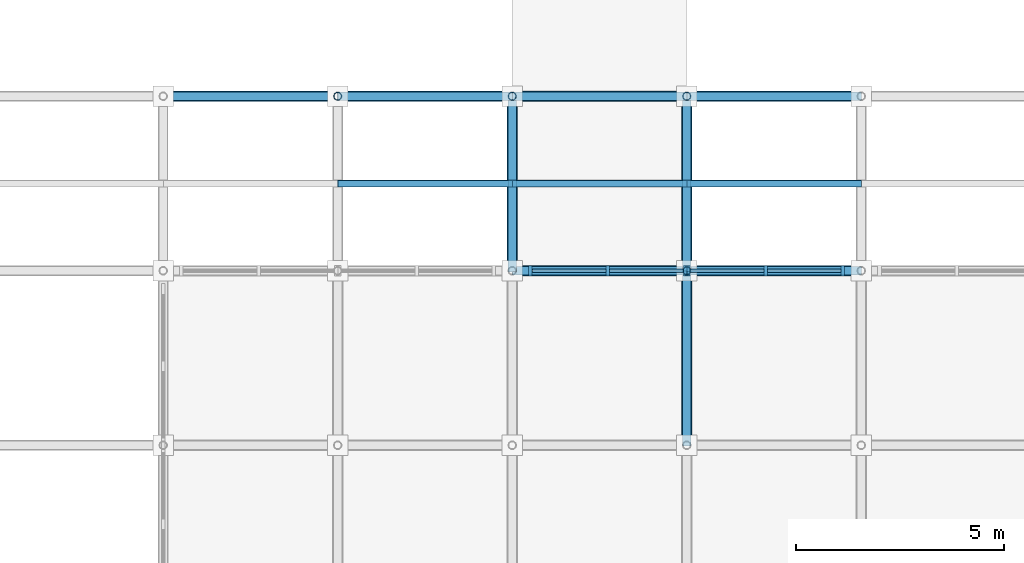
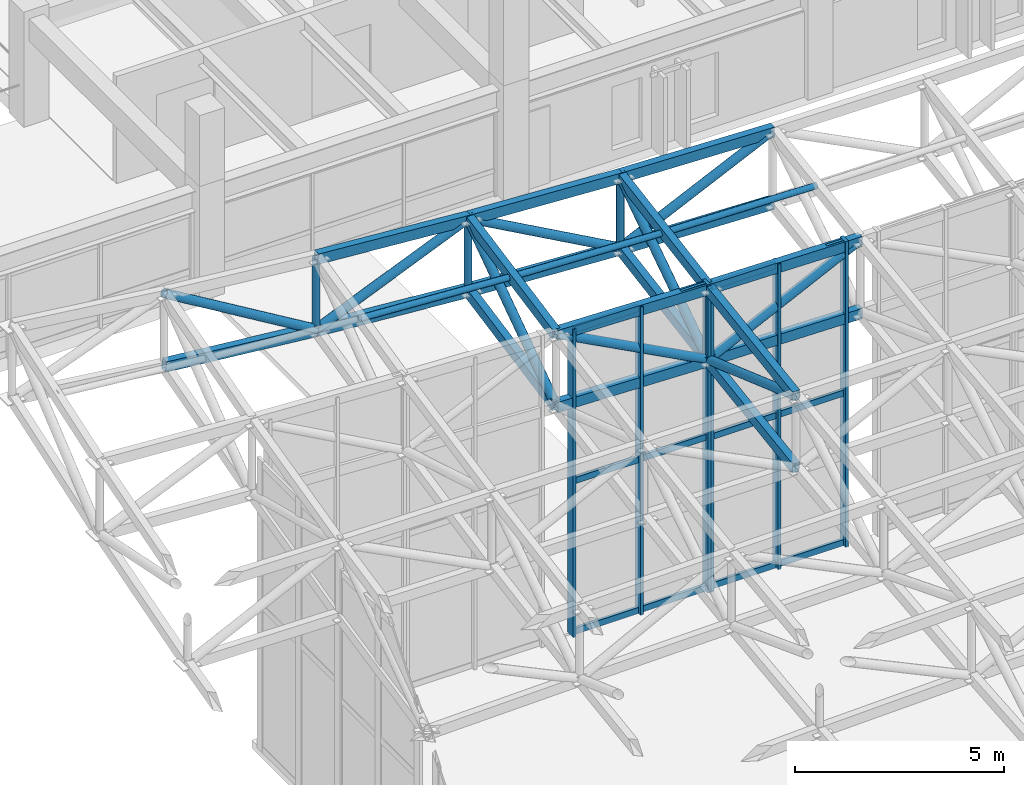
# One storey, part 54 of 123: 51 members, 2 elements without a shape of their own.
"""IFC4 building model written with IfcOpenShell, lengths in metres."""

import ifcopenshell
import ifcopenshell.guid

model = None  # the IFC model being written
_history = None  # IfcOwnerHistory: only IFC2X3 demands one
_inside = {}  # id of a spatial element -> (the spatial element, [elements in it])
_under = {}  # id of a project, library or spatial element -> (it, [spatial elements below it])
_declared = {}  # id of a project -> (the project, [libraries it declares])
_typed = {}  # id of a type object -> (the type object, [elements of that type])
_made_of = {}  # id of a material, layer set ... -> (it, [elements and type objects made of it])


def new_model(schema):
    """Start an empty IFC model of exactly this schema.

    Asked for "IFC4X3", IfcOpenShell would pick the latest addendum, in which some entities
    have other attributes; the version numbers below select the first issue.
    IFC2X3 requires an IfcOwnerHistory on every rooted entity: one is made here for all.
    """
    global model, _history
    if schema == "IFC4X3":
        model = ifcopenshell.file(schema_version=(4, 3, 0, 0))
    else:
        model = ifcopenshell.file(schema=schema)
    _inside.clear()
    _under.clear()
    _declared.clear()
    _typed.clear()
    _made_of.clear()
    _history = None
    if model.schema == "IFC2X3":
        org = make("IfcOrganization", Name="unknown")
        user = make(
            "IfcPersonAndOrganization",
            ThePerson=make("IfcPerson", FamilyName="unknown"),
            TheOrganization=org,
        )
        app = make(
            "IfcApplication",
            ApplicationDeveloper=org,
            Version="unknown",
            ApplicationFullName="unknown",
            ApplicationIdentifier="unknown",
        )
        _history = make(
            "IfcOwnerHistory",
            OwningUser=user,
            OwningApplication=app,
            ChangeAction="ADDED",
            CreationDate=0,
        )
    return model


def make(cls, **values):
    """One entity of the class cls with the attributes given. An attribute that is None is left unset."""
    return model.create_entity(
        cls, **{name: value for name, value in values.items() if value is not None}
    )


def rooted(cls, **values):
    """An entity with a GlobalId (a new one), such as an element, a storey or a relation."""
    return make(cls, GlobalId=ifcopenshell.guid.new(), OwnerHistory=_history, **values)


def si_unit(unit_type, name, prefix=None):
    """IfcSIUnit, for example si_unit("LENGTHUNIT", "METRE", prefix="MILLI")."""
    return make("IfcSIUnit", UnitType=unit_type, Prefix=prefix, Name=name)


def assignment(units):
    """IfcUnitAssignment: the units of a project."""
    return None if units is None else make("IfcUnitAssignment", Units=units)


def point(xyz):
    """IfcCartesianPoint."""
    return None if xyz is None else make("IfcCartesianPoint", Coordinates=xyz)


def direction(xyz):
    """IfcDirection."""
    return None if xyz is None else make("IfcDirection", DirectionRatios=xyz)


def frame(location, z_axis=None, x_axis=None):
    """IfcAxis2Placement3D, a coordinate frame: its origin and axes. An axis left out is left unset."""
    return make(
        "IfcAxis2Placement3D",
        Location=point(location),
        Axis=direction(z_axis),
        RefDirection=direction(x_axis),
    )


def frame_2d(location, x_axis=None):
    """IfcAxis2Placement2D, a coordinate frame in the plane: its origin and x axis."""
    return make(
        "IfcAxis2Placement2D", Location=point(location), RefDirection=direction(x_axis)
    )


def origin():
    """The frame at (0, 0, 0) with its axes left unset."""
    return frame((0.0, 0.0, 0.0))


def origin_2d():
    """The frame at (0, 0) in the plane with its x axis left unset."""
    return frame_2d((0.0, 0.0))


def place(relative_to, where):
    """IfcLocalPlacement: puts the frame where relative to a parent placement (None: the world)."""
    return make(
        "IfcLocalPlacement", PlacementRelTo=relative_to, RelativePlacement=where
    )


def context(
    kind, dimensions, precision=None, world=None, true_north=None, identifier=None
):
    """IfcGeometricRepresentationContext, for example the 3D "Model" context."""
    return make(
        "IfcGeometricRepresentationContext",
        ContextIdentifier=identifier,
        ContextType=kind,
        CoordinateSpaceDimension=dimensions,
        Precision=precision,
        WorldCoordinateSystem=world,
        TrueNorth=true_north,
    )


def subcontext(parent, identifier, kind, view, scale=None):
    """IfcGeometricRepresentationSubContext, for example "Body" below "Model"."""
    return make(
        "IfcGeometricRepresentationSubContext",
        ContextIdentifier=identifier,
        ContextType=kind,
        ParentContext=parent,
        TargetScale=scale,
        TargetView=view,
    )


def project(units=None, contexts=None):
    """IfcProject with its units and contexts."""
    return rooted(
        "IfcProject",
        Name="project",
        RepresentationContexts=contexts,
        UnitsInContext=assignment(units),
    )


def spatial(cls, under=None, at=None, **own):
    """A site, building, storey or space (cls), placed at a placement, below another one or the project."""
    s = rooted(cls, ObjectPlacement=at, **own)
    if under is not None:
        _under.setdefault(under.id(), (under, []))[1].append(s)
    return s


def profile(cls, at=None, kind="AREA", **sizes):
    """A parametric profile (cls). Its sizes go by their IFC names, for example OverallWidth=200.0."""
    return make(cls, ProfileType=kind, Position=at, **sizes)


def rectangle(**sizes):
    """IfcRectangleProfileDef."""
    return profile("IfcRectangleProfileDef", **sizes)


def hollow_rectangle(**sizes):
    """IfcRectangleHollowProfileDef."""
    return profile("IfcRectangleHollowProfileDef", **sizes)


def hollow_circle(**sizes):
    """IfcCircleHollowProfileDef."""
    return profile("IfcCircleHollowProfileDef", **sizes)


def extrude(swept, where, along, depth):
    """IfcExtrudedAreaSolid: the profile swept, set in the frame where, extruded along a direction by depth."""
    return make(
        "IfcExtrudedAreaSolid",
        SweptArea=swept,
        Position=where,
        ExtrudedDirection=direction(along),
        Depth=depth,
    )


def shape(context_of_items, identifier, shape_type, items):
    """IfcShapeRepresentation: the items that make up one representation, for example the "Body"."""
    return make(
        "IfcShapeRepresentation",
        ContextOfItems=context_of_items,
        RepresentationIdentifier=identifier,
        RepresentationType=shape_type,
        Items=items,
    )


def material(Name=None, Category=None):
    """IfcMaterial."""
    return make("IfcMaterial", Name=Name, Category=Category)


def material_profile(
    of_material, cross_section, Name=None, Category=None, Priority=None
):
    """IfcMaterialProfile: a cross section and its material."""
    return make(
        "IfcMaterialProfile",
        Name=Name,
        Material=of_material,
        Profile=cross_section,
        Priority=Priority,
        Category=Category,
    )


def profile_set(profiles, Name=None, composite=None):
    """IfcMaterialProfileSet."""
    return make(
        "IfcMaterialProfileSet",
        Name=Name,
        MaterialProfiles=profiles,
        CompositeProfile=composite,
    )


def made_of(thing, what):
    """Note that an element or type object is made of a material, layer set ...; save() writes the relation."""
    if what is not None:
        _made_of.setdefault(what.id(), (what, []))[1].append(thing)
    return thing


def type_object(cls, material=None, **own):
    """A type object (cls), such as IfcWallType, which elements share."""
    return made_of(rooted(cls, **own), material)


def element(
    cls,
    number,
    at=None,
    inside=None,
    cuts=None,
    type_object=None,
    material=None,
    context=None,
    identifier="Body",
    shape_type=None,
    held_by="IfcProductDefinitionShape",
    body=None,
    shapes=None,
    **own,
):
    """One element of the class cls, such as IfcWall. Its Tag is "e" and its number.

    at: its placement. inside: the storey or other place that contains it. cuts: it is an
    opening in that element (IfcRelVoidsElement). A single representation is given by context,
    identifier, shape_type and body (its items); several are given by shapes. held_by: the class
    of the entity that holds the representations. save() writes the other relations.
    """
    e = rooted(cls, Tag="e%d" % number, ObjectPlacement=at, **own)
    if body is not None:
        shapes = [shape(context, identifier, shape_type, body)]
    if shapes is not None:
        e.Representation = make(held_by, Representations=shapes)
    if inside is not None:
        _inside.setdefault(inside.id(), (inside, []))[1].append(e)
    if cuts is not None:
        rooted(
            "IfcRelVoidsElement", RelatingBuildingElement=cuts, RelatedOpeningElement=e
        )
    if type_object is not None:
        _typed.setdefault(type_object.id(), (type_object, []))[1].append(e)
    return made_of(e, material)


def aggregate(whole, parts):
    """IfcRelAggregates: a whole, such as a stair, and the parts it consists of."""
    return rooted("IfcRelAggregates", RelatingObject=whole, RelatedObjects=parts)


def save(model, path):
    """Write the relations noted so far, then the file.

    IfcRelAggregates (storeys below a building ...), IfcRelContainedInSpatialStructure (elements
    in a storey), IfcRelDefinesByType, IfcRelAssociatesMaterial and IfcRelDeclares: one each for
    every whole, place, type object, material and project.
    """
    for whole, parts in _under.values():
        aggregate(whole, parts)
    for where, things in _inside.values():
        rooted(
            "IfcRelContainedInSpatialStructure",
            RelatedElements=things,
            RelatingStructure=where,
        )
    for kind, things in _typed.values():
        rooted("IfcRelDefinesByType", RelatedObjects=things, RelatingType=kind)
    for what, things in _made_of.values():
        rooted("IfcRelAssociatesMaterial", RelatedObjects=things, RelatingMaterial=what)
    for by, libraries in _declared.values():
        rooted("IfcRelDeclares", RelatingContext=by, RelatedDefinitions=libraries)
    model.write(path)


model = new_model("IFC4")

# Units and contexts
model_context = context("Model", 3, precision=1e-05, world=origin(), true_north=direction((0.0, 1.0)))
body_context = subcontext(model_context, "Body", "Model", "MODEL_VIEW")
ifc_project = project(units=[si_unit("LENGTHUNIT", "METRE"), si_unit("AREAUNIT", "SQUARE_METRE"), si_unit("VOLUMEUNIT", "CUBIC_METRE"), si_unit("PLANEANGLEUNIT", "RADIAN"), si_unit("MASSUNIT", "GRAM", prefix="KILO")], contexts=[model_context])

# Site, building, storey
site_placement = place(None, origin())
site = spatial("IfcSite", under=ifc_project, at=site_placement, CompositionType="ELEMENT")
building_placement = place(site_placement, origin())
building = spatial("IfcBuilding", under=site, at=building_placement, Name="Cumbredor Promenade Congress Hotel", CompositionType="ELEMENT")
storey_placement = place(building_placement, frame((0.0, 0.0, 11.760009765625)))
storey = spatial("IfcBuildingStorey", under=building, at=storey_placement, Name="L03", CompositionType="ELEMENT", Elevation=11.760009765625)

# Members
ifc_material_1 = material(Name="Steel ASTM A500 Grade C", Category="steel")
ifc_material_profile_1 = material_profile(ifc_material_1, hollow_rectangle(XDim=0.199951171875, YDim=0.300048828125, WallThickness=0.012451171875, at=origin_2d()), Name="HSS 300x200x12.5")
ifc_profile_set_1 = profile_set([ifc_material_profile_1], Name="Steel ASTM A500 Grade C")
member_type_1 = type_object("IfcMemberType", Name="Ballroom Roof Space Frame Chord", PredefinedType="CHORD", material=ifc_profile_set_1)
for number, where, z_axis, x_axis, name in (
    (1, (151.199951171875, 67.199951171875, 8.9306640625), (0.999569410131, 0.0, -0.029342704884), (0.0, 1.0, 0.0), "Grand Ballroom Pavilion X Top Chord 4.17"),
    (2, (151.199951171875, 67.199951171875, 6.830810546875), (0.999567704243, 0.0, -0.029400759074), (0.0, 1.0, 0.0), "Grand Ballroom Pavilion X Bottom Chord 4.17"),
):
    element("IfcMember", number, at=place(storey_placement, frame(where, z_axis=z_axis, x_axis=x_axis)), inside=storey, type_object=member_type_1, Name=name, PredefinedType="CHORD", context=body_context, shape_type="SweptSolid", body=[
        extrude(hollow_rectangle(XDim=0.199951171875, YDim=0.300048828125, WallThickness=0.012451171875, at=origin_2d()), origin(), (0.0, 0.0, 1.0), 4.20166015625),
    ])
for number, where, z_axis, x_axis, name in (
    (3, (155.39990234375, 67.199951171875, 8.807373046875), (0.999844941573, 0.0, -0.017609452296), (0.0, 1.0, 0.0), "Grand Ballroom Pavilion X Top Chord 5.17"),
    (4, (155.39990234375, 67.199951171875, 6.707275390625), (0.999844941573, 0.0, -0.017609452296), (0.0, 1.0, 0.0), "Grand Ballroom Pavilion X Bottom Chord 5.17"),
):
    element("IfcMember", number, at=place(storey_placement, frame(where, z_axis=z_axis, x_axis=x_axis)), inside=storey, type_object=member_type_1, Name=name, PredefinedType="CHORD", context=body_context, shape_type="SweptSolid", body=[
        extrude(hollow_rectangle(XDim=0.199951171875, YDim=0.300048828125, WallThickness=0.012451171875, at=origin_2d()), origin(), (0.0, 0.0, 1.0), 4.200927734375),
    ])
member_1_placement = place(storey_placement, frame((142.800048828125, 71.39990234375, 8.401123046875), z_axis=(0.995004494852, 0.0, -0.099830131844), x_axis=(0.0, 1.0, 0.0)))
element("IfcMember", 5, at=member_1_placement, inside=storey, type_object=member_type_1, Name="Grand Ballroom Pavilion X Bottom Chord 2.18", PredefinedType="CHORD", context=body_context, shape_type="SweptSolid", body=[
    extrude(hollow_rectangle(XDim=0.199951171875, YDim=0.300048828125, WallThickness=0.012451171875, at=origin_2d()), origin(), (0.0, 0.0, 1.0), 4.220947265625),
])
for number, where, z_axis, x_axis, name in (
    (6, (147.0, 71.39990234375, 10.07958984375), (0.996962071035, 0.0, -0.077888567312), (0.0, 1.0, 0.0), "Grand Ballroom Pavilion X Top Chord 3.18"),
    (7, (147.0, 71.39990234375, 7.979736328125), (0.996962071035, 0.0, -0.077888567312), (0.0, 1.0, 0.0), "Grand Ballroom Pavilion X Bottom Chord 3.18"),
):
    element("IfcMember", number, at=place(storey_placement, frame(where, z_axis=z_axis, x_axis=x_axis)), inside=storey, type_object=member_type_1, Name=name, PredefinedType="CHORD", context=body_context, shape_type="SweptSolid", body=[
        extrude(hollow_rectangle(XDim=0.199951171875, YDim=0.300048828125, WallThickness=0.012451171875, at=origin_2d()), origin(), (0.0, 0.0, 1.0), 4.212646484375),
    ])
for number, where, z_axis, x_axis, name in (
    (8, (151.199951171875, 71.39990234375, 9.75146484375), (0.998446571725, 0.0, -0.055717532341), (0.0, 1.0, 0.0), "Grand Ballroom Pavilion X Top Chord 4.18"),
    (9, (151.199951171875, 71.39990234375, 7.651611328125), (0.998443341288, 0.0, -0.055775390977), (0.0, 1.0, 0.0), "Grand Ballroom Pavilion X Bottom Chord 4.18"),
):
    element("IfcMember", number, at=place(storey_placement, frame(where, z_axis=z_axis, x_axis=x_axis)), inside=storey, type_object=member_type_1, Name=name, PredefinedType="CHORD", context=body_context, shape_type="SweptSolid", body=[
        extrude(hollow_rectangle(XDim=0.199951171875, YDim=0.300048828125, WallThickness=0.012451171875, at=origin_2d()), origin(), (0.0, 0.0, 1.0), 4.20654296875),
    ])
for number, where, z_axis, x_axis, name in (
    (10, (155.39990234375, 71.39990234375, 9.51708984375), (0.999438051436, 0.0, -0.033519864896), (0.0, 1.0, 0.0), "Grand Ballroom Pavilion X Top Chord 5.18"),
    (11, (155.39990234375, 71.39990234375, 7.4169921875), (0.999438051436, 0.0, -0.033519864896), (0.0, 1.0, 0.0), "Grand Ballroom Pavilion X Bottom Chord 5.18"),
):
    element("IfcMember", number, at=place(storey_placement, frame(where, z_axis=z_axis, x_axis=x_axis)), inside=storey, type_object=member_type_1, Name=name, PredefinedType="CHORD", context=body_context, shape_type="SweptSolid", body=[
        extrude(hollow_rectangle(XDim=0.199951171875, YDim=0.300048828125, WallThickness=0.012451171875, at=origin_2d()), origin(), (0.0, 0.0, 1.0), 4.20263671875),
    ])
for number, where, z_axis, x_axis, name in (
    (12, (151.199951171875, 67.199951171875, 8.9306640625), (0.0, 0.981433531081, 0.191802565337), (-1.0, 0.0, 0.0), "Grand Ballroom Pavilion Y Top Chord 4.17"),
    (13, (151.199951171875, 67.199951171875, 6.830810546875), (0.0, 0.981433531081, 0.191802565337), (-1.0, 0.0, 0.0), "Grand Ballroom Pavilion Y Bottom Chord 4.17"),
):
    element("IfcMember", number, at=place(storey_placement, frame(where, z_axis=z_axis, x_axis=x_axis)), inside=storey, type_object=member_type_1, Name=name, PredefinedType="CHORD", context=body_context, shape_type="SweptSolid", body=[
        extrude(hollow_rectangle(XDim=0.199951171875, YDim=0.300048828125, WallThickness=0.012451171875, at=origin_2d()), origin(), (0.0, 0.0, 1.0), 4.279296875),
    ])
for number, where, z_axis, x_axis, name in (
    (14, (155.39990234375, 63.0, 8.1884765625), (0.0, 0.989316485131, 0.145783717364), (-1.0, 0.0, 0.0), "Grand Ballroom Pavilion Y Top Chord 5.16"),
    (15, (155.39990234375, 63.0, 6.088623046875), (0.0, 0.989324777815, 0.145727430505), (-1.0, 0.0, 0.0), "Grand Ballroom Pavilion Y Bottom Chord 5.16"),
):
    element("IfcMember", number, at=place(storey_placement, frame(where, z_axis=z_axis, x_axis=x_axis)), inside=storey, type_object=member_type_1, Name=name, PredefinedType="CHORD", context=body_context, shape_type="SweptSolid", body=[
        extrude(hollow_rectangle(XDim=0.199951171875, YDim=0.300048828125, WallThickness=0.012451171875, at=origin_2d()), origin(), (0.0, 0.0, 1.0), 4.245361328125),
    ])
for number, where, z_axis, x_axis, name in (
    (16, (155.39990234375, 67.199951171875, 8.807373046875), (0.0, 0.986021186806, 0.166619984308), (-1.0, 0.0, 0.0), "Grand Ballroom Pavilion Y Top Chord 5.17"),
    (17, (155.39990234375, 67.199951171875, 6.707275390625), (0.0, 0.986021186806, 0.166619984308), (-1.0, 0.0, 0.0), "Grand Ballroom Pavilion Y Bottom Chord 5.17"),
):
    element("IfcMember", number, at=place(storey_placement, frame(where, z_axis=z_axis, x_axis=x_axis)), inside=storey, type_object=member_type_1, Name=name, PredefinedType="CHORD", context=body_context, shape_type="SweptSolid", body=[
        extrude(hollow_rectangle(XDim=0.199951171875, YDim=0.300048828125, WallThickness=0.012451171875, at=origin_2d()), origin(), (0.0, 0.0, 1.0), 4.259521484375),
    ])

# Curtain wall, members
ifc_material_2 = material(Name="Thermally broken anodized aluminium and low-E glass", Category="aluminium")
curtain_wall_type = type_object("IfcCurtainWallType", Name="Stepped Pavilion Clerestory Curtain Wall CW-06", PredefinedType="NOTDEFINED", material=ifc_material_2)
curtain_wall_1_placement = place(storey_placement, origin())
curtain_wall_1 = element("IfcCurtainWall", 18, at=curtain_wall_1_placement, inside=storey, type_object=curtain_wall_type, Name="Grand Ballroom Pavilion N Glazed Clerestory 3", PredefinedType="NOTDEFINED")
ifc_material_3 = material(Name="Thermally broken anodized aluminium", Category="aluminium")
ifc_material_profile_2 = material_profile(ifc_material_3, rectangle(XDim=0.0849609375, YDim=0.260009765625, at=origin_2d()), Name="ALU MULLION CLERESTORY 85x260")
ifc_profile_set_2 = profile_set([ifc_material_profile_2], Name="Thermally broken anodized aluminium")
member_type_2 = type_object("IfcMemberType", Name="Curtain Wall Mullion ML-04", PredefinedType="MULLION", material=ifc_profile_set_2)
member_2_placement = place(storey_placement, frame((151.639892578125, 67.199951171875, -0.01806640625), z_axis=(0.0, 0.0, 1.0), x_axis=(1.0, 0.0, 0.0)))
member_2 = element("IfcMember", 19, at=member_2_placement, type_object=member_type_2, Name="Grand Ballroom Pavilion N Glazed Clerestory 3 Mullion 1", PredefinedType="MULLION", context=body_context, shape_type="SweptSolid", body=[
    extrude(rectangle(XDim=0.0849609375, YDim=0.260009765625, at=origin_2d()), origin(), (0.0, 0.0, 1.0), 9.00146484375),
])
member_3_placement = place(storey_placement, frame((153.5, 67.199951171875, -0.01806640625), z_axis=(0.0, 0.0, 1.0), x_axis=(1.0, 0.0, 0.0)))
member_3 = element("IfcMember", 20, at=member_3_placement, type_object=member_type_2, Name="Grand Ballroom Pavilion N Glazed Clerestory 3 Mullion 2", PredefinedType="MULLION", context=body_context, shape_type="SweptSolid", body=[
    extrude(rectangle(XDim=0.0849609375, YDim=0.260009765625, at=origin_2d()), origin(), (0.0, 0.0, 1.0), 9.00146484375),
])
member_4_placement = place(storey_placement, frame((155.360107421875, 67.199951171875, -0.01806640625), z_axis=(0.0, 0.0, 1.0), x_axis=(1.0, 0.0, 0.0)))
member_4 = element("IfcMember", 21, at=member_4_placement, type_object=member_type_2, Name="Grand Ballroom Pavilion N Glazed Clerestory 3 Mullion 3", PredefinedType="MULLION", context=body_context, shape_type="SweptSolid", body=[
    extrude(rectangle(XDim=0.0849609375, YDim=0.260009765625, at=origin_2d()), origin(), (0.0, 0.0, 1.0), 9.00146484375),
])

curtain_wall_2_placement = place(storey_placement, origin())
curtain_wall_2 = element("IfcCurtainWall", 22, at=curtain_wall_2_placement, inside=storey, type_object=curtain_wall_type, Name="Grand Ballroom Pavilion N Glazed Clerestory 4", PredefinedType="NOTDEFINED")
member_5_placement = place(storey_placement, frame((155.43994140625, 67.199951171875, -0.01806640625), z_axis=(0.0, 0.0, 1.0), x_axis=(1.0, 0.0, 0.0)))
member_5 = element("IfcMember", 23, at=member_5_placement, type_object=member_type_2, Name="Grand Ballroom Pavilion N Glazed Clerestory 4 Mullion 1", PredefinedType="MULLION", context=body_context, shape_type="SweptSolid", body=[
    extrude(rectangle(XDim=0.0849609375, YDim=0.260009765625, at=origin_2d()), origin(), (0.0, 0.0, 1.0), 8.927490234375),
])
member_6_placement = place(storey_placement, frame((157.300048828125, 67.199951171875, -0.01806640625), z_axis=(0.0, 0.0, 1.0), x_axis=(1.0, 0.0, 0.0)))
member_6 = element("IfcMember", 24, at=member_6_placement, type_object=member_type_2, Name="Grand Ballroom Pavilion N Glazed Clerestory 4 Mullion 2", PredefinedType="MULLION", context=body_context, shape_type="SweptSolid", body=[
    extrude(rectangle(XDim=0.0849609375, YDim=0.260009765625, at=origin_2d()), origin(), (0.0, 0.0, 1.0), 8.927490234375),
])
member_7_placement = place(storey_placement, frame((159.159912109375, 67.199951171875, -0.01806640625), z_axis=(0.0, 0.0, 1.0), x_axis=(1.0, 0.0, 0.0)))
member_7 = element("IfcMember", 25, at=member_7_placement, type_object=member_type_2, Name="Grand Ballroom Pavilion N Glazed Clerestory 4 Mullion 3", PredefinedType="MULLION", context=body_context, shape_type="SweptSolid", body=[
    extrude(rectangle(XDim=0.0849609375, YDim=0.260009765625, at=origin_2d()), origin(), (0.0, 0.0, 1.0), 8.927490234375),
])

# Member
ifc_material_profile_3 = material_profile(ifc_material_3, rectangle(XDim=0.080078125, YDim=0.179931640625, at=origin_2d()), Name="ALU TRANSOM 80x180")
ifc_profile_set_3 = profile_set([ifc_material_profile_3], Name="Thermally broken anodized aluminium")
member_type_3 = type_object("IfcMemberType", Name="Curtain Wall Transom TR-03", PredefinedType="USERDEFINED", material=ifc_profile_set_3)
member_8_placement = place(storey_placement, frame((151.6826171875, 67.199951171875, 0.080078125), z_axis=(1.0, 0.0, 0.0), x_axis=(0.0, 1.0, 0.0)))
member_8 = element("IfcMember", 26, at=member_8_placement, type_object=member_type_3, Name="Grand Ballroom Pavilion N Glazed Clerestory 3 Transom 1.1", ObjectType="TRANSOM", PredefinedType="USERDEFINED", context=body_context, shape_type="SweptSolid", body=[
    extrude(rectangle(XDim=0.080078125, YDim=0.179931640625, at=origin_2d()), origin(), (0.0, 0.0, 1.0), 1.77490234375),
])

member_9_placement = place(storey_placement, frame((151.6826171875, 67.199951171875, 4.47998046875), z_axis=(1.0, 0.0, 0.0), x_axis=(0.0, 1.0, 0.0)))
member_9 = element("IfcMember", 27, at=member_9_placement, type_object=member_type_3, Name="Grand Ballroom Pavilion N Glazed Clerestory 3 Transom 1.2", ObjectType="TRANSOM", PredefinedType="USERDEFINED", context=body_context, shape_type="SweptSolid", body=[
    extrude(rectangle(XDim=0.080078125, YDim=0.179931640625, at=origin_2d()), origin(), (0.0, 0.0, 1.0), 1.77490234375),
])

member_10_placement = place(storey_placement, frame((151.6826171875, 67.199951171875, 8.889892578125), z_axis=(1.0, 0.0, 0.0), x_axis=(0.0, 1.0, 0.0)))
member_10 = element("IfcMember", 28, at=member_10_placement, type_object=member_type_3, Name="Grand Ballroom Pavilion N Glazed Clerestory 3 Transom 1.3", ObjectType="TRANSOM", PredefinedType="USERDEFINED", context=body_context, shape_type="SweptSolid", body=[
    extrude(rectangle(XDim=0.080078125, YDim=0.179931640625, at=origin_2d()), origin(), (0.0, 0.0, 1.0), 1.77490234375),
])

member_11_placement = place(storey_placement, frame((153.54248046875, 67.199951171875, 0.080078125), z_axis=(1.0, 0.0, 0.0), x_axis=(0.0, 1.0, 0.0)))
member_11 = element("IfcMember", 29, at=member_11_placement, type_object=member_type_3, Name="Grand Ballroom Pavilion N Glazed Clerestory 3 Transom 2.1", ObjectType="TRANSOM", PredefinedType="USERDEFINED", context=body_context, shape_type="SweptSolid", body=[
    extrude(rectangle(XDim=0.080078125, YDim=0.179931640625, at=origin_2d()), origin(), (0.0, 0.0, 1.0), 1.77490234375),
])

member_12_placement = place(storey_placement, frame((153.54248046875, 67.199951171875, 4.47998046875), z_axis=(1.0, 0.0, 0.0), x_axis=(0.0, 1.0, 0.0)))
member_12 = element("IfcMember", 30, at=member_12_placement, type_object=member_type_3, Name="Grand Ballroom Pavilion N Glazed Clerestory 3 Transom 2.2", ObjectType="TRANSOM", PredefinedType="USERDEFINED", context=body_context, shape_type="SweptSolid", body=[
    extrude(rectangle(XDim=0.080078125, YDim=0.179931640625, at=origin_2d()), origin(), (0.0, 0.0, 1.0), 1.77490234375),
])

member_13_placement = place(storey_placement, frame((153.54248046875, 67.199951171875, 8.889892578125), z_axis=(1.0, 0.0, 0.0), x_axis=(0.0, 1.0, 0.0)))
member_13 = element("IfcMember", 31, at=member_13_placement, type_object=member_type_3, Name="Grand Ballroom Pavilion N Glazed Clerestory 3 Transom 2.3", ObjectType="TRANSOM", PredefinedType="USERDEFINED", context=body_context, shape_type="SweptSolid", body=[
    extrude(rectangle(XDim=0.080078125, YDim=0.179931640625, at=origin_2d()), origin(), (0.0, 0.0, 1.0), 1.77490234375),
])

aggregate(curtain_wall_1, [member_2, member_3, member_4, member_8, member_9, member_10, member_11, member_12, member_13])

member_14_placement = place(storey_placement, frame((155.482421875, 67.199951171875, 0.080078125), z_axis=(1.0, 0.0, 0.0), x_axis=(0.0, 1.0, 0.0)))
member_14 = element("IfcMember", 32, at=member_14_placement, type_object=member_type_3, Name="Grand Ballroom Pavilion N Glazed Clerestory 4 Transom 1.1", ObjectType="TRANSOM", PredefinedType="USERDEFINED", context=body_context, shape_type="SweptSolid", body=[
    extrude(rectangle(XDim=0.080078125, YDim=0.179931640625, at=origin_2d()), origin(), (0.0, 0.0, 1.0), 1.775146484375),
])

member_15_placement = place(storey_placement, frame((155.482421875, 67.199951171875, 4.43994140625), z_axis=(1.0, 0.0, 0.0), x_axis=(0.0, 1.0, 0.0)))
member_15 = element("IfcMember", 33, at=member_15_placement, type_object=member_type_3, Name="Grand Ballroom Pavilion N Glazed Clerestory 4 Transom 1.2", ObjectType="TRANSOM", PredefinedType="USERDEFINED", context=body_context, shape_type="SweptSolid", body=[
    extrude(rectangle(XDim=0.080078125, YDim=0.179931640625, at=origin_2d()), origin(), (0.0, 0.0, 1.0), 1.775146484375),
])

member_16_placement = place(storey_placement, frame((155.482421875, 67.199951171875, 8.81005859375), z_axis=(1.0, 0.0, 0.0), x_axis=(0.0, 1.0, 0.0)))
member_16 = element("IfcMember", 34, at=member_16_placement, type_object=member_type_3, Name="Grand Ballroom Pavilion N Glazed Clerestory 4 Transom 1.3", ObjectType="TRANSOM", PredefinedType="USERDEFINED", context=body_context, shape_type="SweptSolid", body=[
    extrude(rectangle(XDim=0.080078125, YDim=0.179931640625, at=origin_2d()), origin(), (0.0, 0.0, 1.0), 1.775146484375),
])

member_17_placement = place(storey_placement, frame((157.342529296875, 67.199951171875, 0.080078125), z_axis=(1.0, 0.0, 0.0), x_axis=(0.0, 1.0, 0.0)))
member_17 = element("IfcMember", 35, at=member_17_placement, type_object=member_type_3, Name="Grand Ballroom Pavilion N Glazed Clerestory 4 Transom 2.1", ObjectType="TRANSOM", PredefinedType="USERDEFINED", context=body_context, shape_type="SweptSolid", body=[
    extrude(rectangle(XDim=0.080078125, YDim=0.179931640625, at=origin_2d()), origin(), (0.0, 0.0, 1.0), 1.77490234375),
])

member_18_placement = place(storey_placement, frame((157.342529296875, 67.199951171875, 4.43994140625), z_axis=(1.0, 0.0, 0.0), x_axis=(0.0, 1.0, 0.0)))
member_18 = element("IfcMember", 36, at=member_18_placement, type_object=member_type_3, Name="Grand Ballroom Pavilion N Glazed Clerestory 4 Transom 2.2", ObjectType="TRANSOM", PredefinedType="USERDEFINED", context=body_context, shape_type="SweptSolid", body=[
    extrude(rectangle(XDim=0.080078125, YDim=0.179931640625, at=origin_2d()), origin(), (0.0, 0.0, 1.0), 1.77490234375),
])

member_19_placement = place(storey_placement, frame((157.342529296875, 67.199951171875, 8.81005859375), z_axis=(1.0, 0.0, 0.0), x_axis=(0.0, 1.0, 0.0)))
member_19 = element("IfcMember", 37, at=member_19_placement, type_object=member_type_3, Name="Grand Ballroom Pavilion N Glazed Clerestory 4 Transom 2.3", ObjectType="TRANSOM", PredefinedType="USERDEFINED", context=body_context, shape_type="SweptSolid", body=[
    extrude(rectangle(XDim=0.080078125, YDim=0.179931640625, at=origin_2d()), origin(), (0.0, 0.0, 1.0), 1.77490234375),
])

aggregate(curtain_wall_2, [member_5, member_6, member_7, member_14, member_15, member_16, member_17, member_18, member_19])

# Members
ifc_material_profile_4 = material_profile(ifc_material_1, hollow_circle(Radius=0.084228515625, WallThickness=0.010009765625, at=origin_2d()), Name="CHS 168.3x10")
ifc_profile_set_4 = profile_set([ifc_material_profile_4], Name="Steel ASTM A500 Grade C")
member_type_4 = type_object("IfcMemberType", Name="Roof Purlin CHS168", PredefinedType="PURLIN", material=ifc_profile_set_4)
member_20_placement = place(storey_placement, frame((147.0, 69.300048828125, 9.571533203125), z_axis=(0.998226220481, 0.0, -0.059534970773), x_axis=(0.0, 1.0, 0.0)))
element("IfcMember", 38, at=member_20_placement, inside=storey, type_object=member_type_4, Name="Grand Ballroom Pavilion Roof Eave Purlin 3.17", PredefinedType="PURLIN", context=body_context, shape_type="SweptSolid", body=[
    extrude(hollow_circle(Radius=0.084228515625, WallThickness=0.010009765625, at=origin_2d()), origin(), (0.0, 0.0, 1.0), 4.20751953125),
])
member_21_placement = place(storey_placement, frame((151.199951171875, 69.300048828125, 9.321044921875), z_axis=(0.999093477233, 0.0, -0.042570221404), x_axis=(0.0, 1.0, 0.0)))
element("IfcMember", 39, at=member_21_placement, inside=storey, type_object=member_type_4, Name="Grand Ballroom Pavilion Roof Eave Purlin 4.17", PredefinedType="PURLIN", context=body_context, shape_type="SweptSolid", body=[
    extrude(hollow_circle(Radius=0.084228515625, WallThickness=0.010009765625, at=origin_2d()), origin(), (0.0, 0.0, 1.0), 4.203857421875),
])
member_22_placement = place(storey_placement, frame((155.39990234375, 69.300048828125, 9.14208984375), z_axis=(0.999674592055, 0.0, -0.025509018014), x_axis=(0.0, 1.0, 0.0)))
element("IfcMember", 40, at=member_22_placement, inside=storey, type_object=member_type_4, Name="Grand Ballroom Pavilion Roof Eave Purlin 5.17", PredefinedType="PURLIN", context=body_context, shape_type="SweptSolid", body=[
    extrude(hollow_circle(Radius=0.084228515625, WallThickness=0.010009765625, at=origin_2d()), origin(), (0.0, 0.0, 1.0), 4.20166015625),
])
ifc_material_profile_5 = material_profile(ifc_material_1, hollow_circle(Radius=0.122314453125, WallThickness=0.012451171875, at=origin_2d()), Name="CHS 244.5x12.5")
ifc_profile_set_5 = profile_set([ifc_material_profile_5], Name="Steel ASTM A500 Grade C")
member_type_5 = type_object("IfcMemberType", Name="Space Frame Web Diagonal D2", PredefinedType="BRACE", material=ifc_profile_set_5)
member_23_placement = place(storey_placement, frame((151.199951171875, 67.199951171875, 8.9306640625), z_axis=(0.883797913372, 0.0, -0.467868836661), x_axis=(0.0, 1.0, 0.0)))
element("IfcMember", 41, at=member_23_placement, inside=storey, type_object=member_type_5, Name="Grand Ballroom Pavilion X Web Diagonal 4.17", PredefinedType="BRACE", context=body_context, shape_type="SweptSolid", body=[
    extrude(hollow_circle(Radius=0.122314453125, WallThickness=0.012451171875, at=origin_2d()), origin(), (0.0, 0.0, 1.0), 4.752197265625),
])
member_24_placement = place(storey_placement, frame((155.39990234375, 67.199951171875, 6.707275390625), z_axis=(0.900682352115, 0.0, 0.434478193455), x_axis=(0.0, 1.0, 0.0)))
element("IfcMember", 42, at=member_24_placement, inside=storey, type_object=member_type_5, Name="Grand Ballroom Pavilion X Web Diagonal 5.17", PredefinedType="BRACE", context=body_context, shape_type="SweptSolid", body=[
    extrude(hollow_circle(Radius=0.122314453125, WallThickness=0.012451171875, at=origin_2d()), origin(), (0.0, 0.0, 1.0), 4.663330078125),
])
member_25_placement = place(storey_placement, frame((142.800048828125, 71.39990234375, 10.501220703125), z_axis=(0.857356575064, 0.0, -0.514722938282), x_axis=(0.0, 1.0, 0.0)))
element("IfcMember", 43, at=member_25_placement, inside=storey, type_object=member_type_5, Name="Grand Ballroom Pavilion X Web Diagonal 2.18", PredefinedType="BRACE", context=body_context, shape_type="SweptSolid", body=[
    extrude(hollow_circle(Radius=0.122314453125, WallThickness=0.012451171875, at=origin_2d()), origin(), (0.0, 0.0, 1.0), 4.898681640625),
])
member_26_placement = place(storey_placement, frame((147.0, 71.39990234375, 7.979736328125), z_axis=(0.921374051022, 0.0, 0.388677061458), x_axis=(0.0, 1.0, 0.0)))
element("IfcMember", 44, at=member_26_placement, inside=storey, type_object=member_type_5, Name="Grand Ballroom Pavilion X Web Diagonal 3.18", PredefinedType="BRACE", context=body_context, shape_type="SweptSolid", body=[
    extrude(hollow_circle(Radius=0.122314453125, WallThickness=0.012451171875, at=origin_2d()), origin(), (0.0, 0.0, 1.0), 4.558349609375),
])
member_27_placement = place(storey_placement, frame((151.199951171875, 71.39990234375, 9.75146484375), z_axis=(0.874054201985, 0.0, -0.485828418263), x_axis=(0.0, 1.0, 0.0)))
element("IfcMember", 45, at=member_27_placement, inside=storey, type_object=member_type_5, Name="Grand Ballroom Pavilion X Web Diagonal 4.18", PredefinedType="BRACE", context=body_context, shape_type="SweptSolid", body=[
    extrude(hollow_circle(Radius=0.122314453125, WallThickness=0.012451171875, at=origin_2d()), origin(), (0.0, 0.0, 1.0), 4.80517578125),
])
member_28_placement = place(storey_placement, frame((155.39990234375, 71.39990234375, 7.4169921875), z_axis=(0.906254452481, 0.0, 0.422732619226), x_axis=(0.0, 1.0, 0.0)))
element("IfcMember", 46, at=member_28_placement, inside=storey, type_object=member_type_5, Name="Grand Ballroom Pavilion X Web Diagonal 5.18", PredefinedType="BRACE", context=body_context, shape_type="SweptSolid", body=[
    extrude(hollow_circle(Radius=0.122314453125, WallThickness=0.012451171875, at=origin_2d()), origin(), (0.0, 0.0, 1.0), 4.634765625),
])
member_29_placement = place(storey_placement, frame((151.199951171875, 67.199951171875, 6.830810546875), z_axis=(0.0, 0.821001489889, 0.570926049151), x_axis=(-1.0, 0.0, 0.0)))
element("IfcMember", 47, at=member_29_placement, inside=storey, type_object=member_type_5, Name="Grand Ballroom Pavilion Y Web Diagonal 4.17", PredefinedType="BRACE", context=body_context, shape_type="SweptSolid", body=[
    extrude(hollow_circle(Radius=0.122314453125, WallThickness=0.012451171875, at=origin_2d()), origin(), (0.0, 0.0, 1.0), 5.11572265625),
])
member_30_placement = place(storey_placement, frame((155.39990234375, 63.0, 8.1884765625), z_axis=(0.0, 0.943070259387, -0.332593574592), x_axis=(-1.0, 0.0, 0.0)))
element("IfcMember", 48, at=member_30_placement, inside=storey, type_object=member_type_5, Name="Grand Ballroom Pavilion Y Web Diagonal 5.16", PredefinedType="BRACE", context=body_context, shape_type="SweptSolid", body=[
    extrude(hollow_circle(Radius=0.122314453125, WallThickness=0.012451171875, at=origin_2d()), origin(), (0.0, 0.0, 1.0), 4.453369140625),
])
member_31_placement = place(storey_placement, frame((155.39990234375, 67.199951171875, 6.707275390625), z_axis=(0.0, 0.831149812543, 0.556048549239), x_axis=(-1.0, 0.0, 0.0)))
element("IfcMember", 49, at=member_31_placement, inside=storey, type_object=member_type_5, Name="Grand Ballroom Pavilion Y Web Diagonal 5.17", PredefinedType="BRACE", context=body_context, shape_type="SweptSolid", body=[
    extrude(hollow_circle(Radius=0.122314453125, WallThickness=0.012451171875, at=origin_2d()), origin(), (0.0, 0.0, 1.0), 5.05322265625),
])
ifc_material_profile_6 = material_profile(ifc_material_1, hollow_circle(Radius=0.096923828125, WallThickness=0.010009765625, at=origin_2d()), Name="CHS 193.7x10")
ifc_profile_set_6 = profile_set([ifc_material_profile_6], Name="Steel ASTM A500 Grade C")
member_type_6 = type_object("IfcMemberType", Name="Space Frame Web Post P1", PredefinedType="BRACE", material=ifc_profile_set_6)
for number, where, z_axis, x_axis, name in (
    (50, (147.0, 71.39990234375, 7.979736328125), (0.0, 0.0, 1.0), (1.0, 0.0, 0.0), "Grand Ballroom Pavilion Space Frame Web Post 3.18"),
    (51, (151.199951171875, 71.39990234375, 7.651611328125), (0.0, 0.0, 1.0), (1.0, 0.0, 0.0), "Grand Ballroom Pavilion Space Frame Web Post 4.18"),
):
    element("IfcMember", number, at=place(storey_placement, frame(where, z_axis=z_axis, x_axis=x_axis)), inside=storey, type_object=member_type_6, Name=name, PredefinedType="BRACE", context=body_context, shape_type="SweptSolid", body=[
        extrude(hollow_circle(Radius=0.096923828125, WallThickness=0.010009765625, at=origin_2d()), origin(), (0.0, 0.0, 1.0), 2.099853515625),
    ])
for number, where, z_axis, x_axis, name in (
    (52, (155.39990234375, 67.199951171875, 6.707275390625), (0.0, 0.0, 1.0), (1.0, 0.0, 0.0), "Grand Ballroom Pavilion Space Frame Web Post 5.17"),
    (53, (155.39990234375, 71.39990234375, 7.4169921875), (0.0, 0.0, 1.0), (1.0, 0.0, 0.0), "Grand Ballroom Pavilion Space Frame Web Post 5.18"),
):
    element("IfcMember", number, at=place(storey_placement, frame(where, z_axis=z_axis, x_axis=x_axis)), inside=storey, type_object=member_type_6, Name=name, PredefinedType="BRACE", context=body_context, shape_type="SweptSolid", body=[
        extrude(hollow_circle(Radius=0.096923828125, WallThickness=0.010009765625, at=origin_2d()), origin(), (0.0, 0.0, 1.0), 2.10009765625),
    ])

save(model, "model.ifc")
